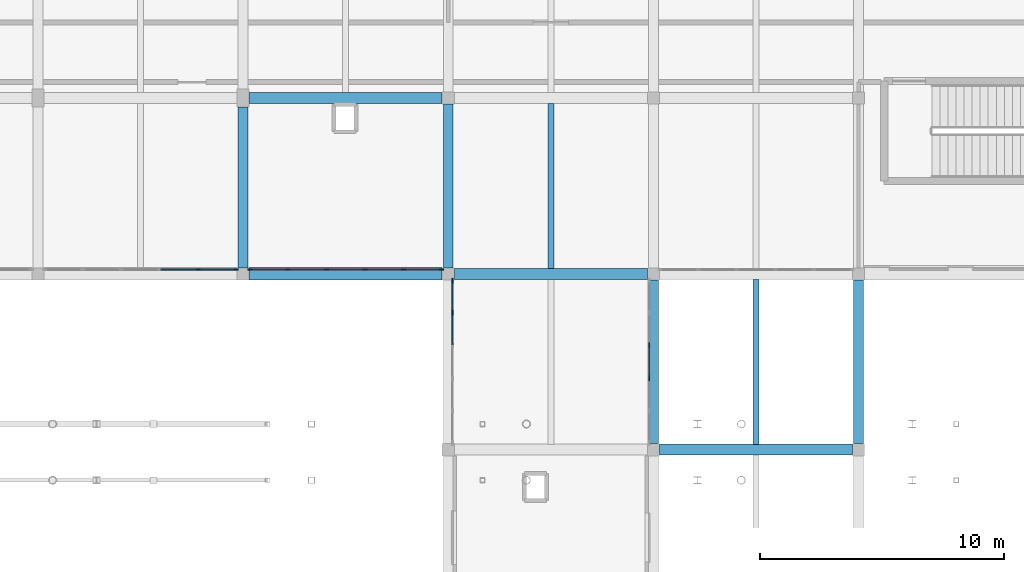
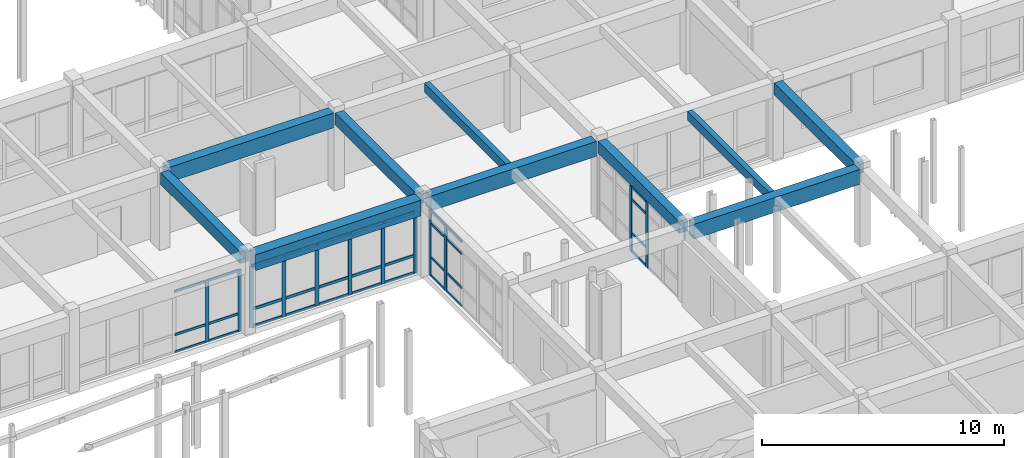
# One storey, part 47 of 147: 45 members, 10 beams, 4 elements without a shape of their own.
"""IFC4 building model written with IfcOpenShell, lengths in metres."""

from ifc_helpers import new_model, si_unit, direction, frame, origin, origin_2d, place, context, subcontext, project, spatial, rectangle, extrude, material, material_profile, profile_set, type_object, element, aggregate, save


model = new_model("IFC4")

# Units and contexts
model_context = context("Model", 3, precision=1e-05, world=origin(), true_north=direction((0.0, 1.0)))
body_context = subcontext(model_context, "Body", "Model", "MODEL_VIEW")
ifc_project = project(units=[si_unit("LENGTHUNIT", "METRE"), si_unit("AREAUNIT", "SQUARE_METRE"), si_unit("VOLUMEUNIT", "CUBIC_METRE"), si_unit("PLANEANGLEUNIT", "RADIAN"), si_unit("MASSUNIT", "GRAM", prefix="KILO")], contexts=[model_context])

# Site, building, storey
site_placement = place(None, origin())
site = spatial("IfcSite", under=ifc_project, at=site_placement, CompositionType="ELEMENT")
building_placement = place(site_placement, origin())
building = spatial("IfcBuilding", under=site, at=building_placement, Name="Malvenik Polytechnic", CompositionType="ELEMENT")
storey_placement = place(building_placement, frame((0.0, 0.0, 5.10009765625)))
storey = spatial("IfcBuildingStorey", under=building, at=storey_placement, Name="L01", CompositionType="ELEMENT", Elevation=5.10009765625)

# Curtain wall, members
ifc_material_1 = material(Name="Anodised aluminium 6060-T6", Category="aluminium")
curtain_wall_type_1 = type_object("IfcCurtainWallType", Name="ARC-CW-CW-02", PredefinedType="NOTDEFINED", material=ifc_material_1)
curtain_wall_1_placement = place(storey_placement, origin())
curtain_wall_1 = element("IfcCurtainWall", 1, at=curtain_wall_1_placement, inside=storey, type_object=curtain_wall_type_1, Name="Unitised Curtain Wall CW-02 L01 #119", PredefinedType="NOTDEFINED")
ifc_material_2 = material(Name="Anodised aluminium", Category="aluminium")
ifc_material_profile_1 = material_profile(ifc_material_2, rectangle(XDim=0.06005859375, YDim=0.159912109375, at=origin_2d()), Name="ALU MULLION 60x160")
ifc_profile_set_1 = profile_set([ifc_material_profile_1], Name="Anodised aluminium")
member_type_1 = type_object("IfcMemberType", Name="ARC-CWM-160", PredefinedType="MULLION", material=ifc_profile_set_1)
member_1_placement = place(storey_placement, frame((66.922119140625, 50.570068359375, 0.0), z_axis=(0.0, 0.0, 1.0), x_axis=(0.0, -1.0, 0.0)))
member_1 = element("IfcMember", 2, at=member_1_placement, type_object=member_type_1, Name="CW-02 mullion 1", PredefinedType="MULLION", context=body_context, shape_type="SweptSolid", body=[
    extrude(rectangle(XDim=0.06005859375, YDim=0.159912109375, at=origin_2d()), origin(), (0.0, 0.0, 1.0), 3.10986328125),
])
member_2_placement = place(storey_placement, frame((65.37109375, 50.570068359375, 0.0), z_axis=(0.0, 0.0, 1.0), x_axis=(0.0, -1.0, 0.0)))
member_2 = element("IfcMember", 3, at=member_2_placement, type_object=member_type_1, Name="CW-02 mullion 2", PredefinedType="MULLION", context=body_context, shape_type="SweptSolid", body=[
    extrude(rectangle(XDim=0.06005859375, YDim=0.159912109375, at=origin_2d()), origin(), (0.0, 0.0, 1.0), 3.10986328125),
])

curtain_wall_2_placement = place(storey_placement, origin())
curtain_wall_2 = element("IfcCurtainWall", 4, at=curtain_wall_2_placement, inside=storey, type_object=curtain_wall_type_1, Name="Unitised Curtain Wall CW-02 L01 #118", PredefinedType="NOTDEFINED")
ifc_material_profile_2 = material_profile(ifc_material_2, rectangle(XDim=0.06005859375, YDim=0.179931640625, at=origin_2d()), Name="ALU MULLION 60x180")
ifc_profile_set_2 = profile_set([ifc_material_profile_2], Name="Anodised aluminium")
member_type_2 = type_object("IfcMemberType", Name="ARC-CWM-180", PredefinedType="MULLION", material=ifc_profile_set_2)
member_3_placement = place(storey_placement, frame((75.322021484375, 50.570068359375, 0.0), z_axis=(0.0, 0.0, 1.0), x_axis=(0.0, -1.0, 0.0)))
member_3 = element("IfcMember", 5, at=member_3_placement, type_object=member_type_2, Name="CW-02 mullion 1", PredefinedType="MULLION", context=body_context, shape_type="SweptSolid", body=[
    extrude(rectangle(XDim=0.06005859375, YDim=0.179931640625, at=origin_2d()), origin(), (0.0, 0.0, 1.0), 3.10986328125),
])
member_4_placement = place(storey_placement, frame((73.771240234375, 50.570068359375, 0.0), z_axis=(0.0, 0.0, 1.0), x_axis=(0.0, -1.0, 0.0)))
member_4 = element("IfcMember", 6, at=member_4_placement, type_object=member_type_2, Name="CW-02 mullion 2", PredefinedType="MULLION", context=body_context, shape_type="SweptSolid", body=[
    extrude(rectangle(XDim=0.06005859375, YDim=0.179931640625, at=origin_2d()), origin(), (0.0, 0.0, 1.0), 3.10986328125),
])
member_5_placement = place(storey_placement, frame((72.1904296875, 50.570068359375, 0.0), z_axis=(0.0, 0.0, 1.0), x_axis=(0.0, -1.0, 0.0)))
member_5 = element("IfcMember", 7, at=member_5_placement, type_object=member_type_2, Name="CW-02 mullion 3", PredefinedType="MULLION", context=body_context, shape_type="SweptSolid", body=[
    extrude(rectangle(XDim=0.06005859375, YDim=0.179931640625, at=origin_2d()), origin(), (0.0, 0.0, 1.0), 3.10986328125),
])
member_6_placement = place(storey_placement, frame((70.609619140625, 50.570068359375, 0.0), z_axis=(0.0, 0.0, 1.0), x_axis=(0.0, -1.0, 0.0)))
member_6 = element("IfcMember", 8, at=member_6_placement, type_object=member_type_2, Name="CW-02 mullion 4", PredefinedType="MULLION", context=body_context, shape_type="SweptSolid", body=[
    extrude(rectangle(XDim=0.06005859375, YDim=0.179931640625, at=origin_2d()), origin(), (0.0, 0.0, 1.0), 3.10986328125),
])
member_7_placement = place(storey_placement, frame((69.02880859375, 50.570068359375, 0.0), z_axis=(0.0, 0.0, 1.0), x_axis=(0.0, -1.0, 0.0)))
member_7 = element("IfcMember", 9, at=member_7_placement, type_object=member_type_2, Name="CW-02 mullion 5", PredefinedType="MULLION", context=body_context, shape_type="SweptSolid", body=[
    extrude(rectangle(XDim=0.06005859375, YDim=0.179931640625, at=origin_2d()), origin(), (0.0, 0.0, 1.0), 3.10986328125),
])
member_8_placement = place(storey_placement, frame((67.47802734375, 50.570068359375, 0.0), z_axis=(0.0, 0.0, 1.0), x_axis=(0.0, -1.0, 0.0)))
member_8 = element("IfcMember", 10, at=member_8_placement, type_object=member_type_2, Name="CW-02 mullion 6", PredefinedType="MULLION", context=body_context, shape_type="SweptSolid", body=[
    extrude(rectangle(XDim=0.06005859375, YDim=0.179931640625, at=origin_2d()), origin(), (0.0, 0.0, 1.0), 3.10986328125),
])

curtain_wall_type_2 = type_object("IfcCurtainWallType", Name="ARC-CW-CW-05", PredefinedType="NOTDEFINED", material=ifc_material_1)
curtain_wall_3_placement = place(storey_placement, origin())
curtain_wall_3 = element("IfcCurtainWall", 11, at=curtain_wall_3_placement, inside=storey, type_object=curtain_wall_type_2, Name="Unitised Curtain Wall CW-05 L01 #93", PredefinedType="NOTDEFINED")
ifc_material_profile_3 = material_profile(ifc_material_2, rectangle(XDim=0.06005859375, YDim=0.199951171875, at=origin_2d()), Name="ALU MULLION 60x200")
ifc_profile_set_3 = profile_set([ifc_material_profile_3], Name="Anodised aluminium")
member_type_3 = type_object("IfcMemberType", Name="ARC-CWM-200", PredefinedType="MULLION", material=ifc_profile_set_3)
member_9_placement = place(storey_placement, frame((83.830078125, 47.470458984375, 0.0), z_axis=(0.0, 0.0, 1.0), x_axis=(1.0, 0.0, 0.0)))
member_9 = element("IfcMember", 12, at=member_9_placement, type_object=member_type_3, Name="CW-05 mullion 3", PredefinedType="MULLION", context=body_context, shape_type="SweptSolid", body=[
    extrude(rectangle(XDim=0.06005859375, YDim=0.199951171875, at=origin_2d()), origin(), (0.0, 0.0, 1.0), 3.309814453125),
])
member_10_placement = place(storey_placement, frame((83.830078125, 46.129638671875, 0.0), z_axis=(0.0, 0.0, 1.0), x_axis=(1.0, 0.0, 0.0)))
member_10 = element("IfcMember", 13, at=member_10_placement, type_object=member_type_3, Name="CW-05 mullion 4", PredefinedType="MULLION", context=body_context, shape_type="SweptSolid", body=[
    extrude(rectangle(XDim=0.06005859375, YDim=0.199951171875, at=origin_2d()), origin(), (0.0, 0.0, 1.0), 3.309814453125),
])

curtain_wall_4_placement = place(storey_placement, origin())
curtain_wall_4 = element("IfcCurtainWall", 14, at=curtain_wall_4_placement, inside=storey, type_object=curtain_wall_type_2, Name="Unitised Curtain Wall CW-05 L01 #117", PredefinedType="NOTDEFINED")
member_11_placement = place(storey_placement, frame((75.77001953125, 48.811279296875, 0.0), z_axis=(0.0, 0.0, 1.0), x_axis=(-1.0, 0.0, 0.0)))
member_11 = element("IfcMember", 15, at=member_11_placement, type_object=member_type_3, Name="CW-05 mullion 5", PredefinedType="MULLION", context=body_context, shape_type="SweptSolid", body=[
    extrude(rectangle(XDim=0.06005859375, YDim=0.199951171875, at=origin_2d()), origin(), (0.0, 0.0, 1.0), 3.309814453125),
])
member_12_placement = place(storey_placement, frame((75.77001953125, 50.1220703125, 0.0), z_axis=(0.0, 0.0, 1.0), x_axis=(-1.0, 0.0, 0.0)))
member_12 = element("IfcMember", 16, at=member_12_placement, type_object=member_type_3, Name="CW-05 mullion 6", PredefinedType="MULLION", context=body_context, shape_type="SweptSolid", body=[
    extrude(rectangle(XDim=0.06005859375, YDim=0.199951171875, at=origin_2d()), origin(), (0.0, 0.0, 1.0), 3.309814453125),
])

# Member
ifc_material_profile_4 = material_profile(ifc_material_2, rectangle(XDim=0.06005859375, YDim=0.1201171875, at=origin_2d()), Name="ALU TRANSOM 60x120")
ifc_profile_set_4 = profile_set([ifc_material_profile_4], Name="Anodised aluminium")
member_type_4 = type_object("IfcMemberType", Name="ARC-CWT-120", PredefinedType="USERDEFINED", material=ifc_profile_set_4)
member_13_placement = place(storey_placement, frame((83.830078125, 47.4404296875, 0.02978515625), z_axis=(0.0, -1.0, 0.0), x_axis=(1.0, 0.0, 0.0)))
member_13 = element("IfcMember", 17, at=member_13_placement, type_object=member_type_4, Name="CW-05 transom 3.1", ObjectType="TRANSOM", PredefinedType="USERDEFINED", context=body_context, shape_type="SweptSolid", body=[
    extrude(rectangle(XDim=0.06005859375, YDim=0.1201171875, at=origin_2d()), origin(), (0.0, 0.0, 1.0), 1.28076171875),
])

member_14_placement = place(storey_placement, frame((83.830078125, 47.4404296875, 0.949951171875), z_axis=(0.0, -1.0, 0.0), x_axis=(1.0, 0.0, 0.0)))
member_14 = element("IfcMember", 18, at=member_14_placement, type_object=member_type_4, Name="CW-05 transom 3.2", ObjectType="TRANSOM", PredefinedType="USERDEFINED", context=body_context, shape_type="SweptSolid", body=[
    extrude(rectangle(XDim=0.06005859375, YDim=0.1201171875, at=origin_2d()), origin(), (0.0, 0.0, 1.0), 1.28076171875),
])

member_15_placement = place(storey_placement, frame((83.830078125, 47.4404296875, 2.659912109375), z_axis=(0.0, -1.0, 0.0), x_axis=(1.0, 0.0, 0.0)))
member_15 = element("IfcMember", 19, at=member_15_placement, type_object=member_type_4, Name="CW-05 transom 3.3", ObjectType="TRANSOM", PredefinedType="USERDEFINED", context=body_context, shape_type="SweptSolid", body=[
    extrude(rectangle(XDim=0.06005859375, YDim=0.1201171875, at=origin_2d()), origin(), (0.0, 0.0, 1.0), 1.28076171875),
])

member_16_placement = place(storey_placement, frame((83.830078125, 47.4404296875, 3.27978515625), z_axis=(0.0, -1.0, 0.0), x_axis=(1.0, 0.0, 0.0)))
member_16 = element("IfcMember", 20, at=member_16_placement, type_object=member_type_4, Name="CW-05 transom 3.4", ObjectType="TRANSOM", PredefinedType="USERDEFINED", context=body_context, shape_type="SweptSolid", body=[
    extrude(rectangle(XDim=0.06005859375, YDim=0.1201171875, at=origin_2d()), origin(), (0.0, 0.0, 1.0), 1.28076171875),
])

aggregate(curtain_wall_3, [member_9, member_10, member_13, member_14, member_15, member_16])

member_17_placement = place(storey_placement, frame((75.77001953125, 47.50048828125, 0.02978515625), z_axis=(0.0, 1.0, 0.0), x_axis=(-1.0, 0.0, 0.0)))
member_17 = element("IfcMember", 21, at=member_17_placement, type_object=member_type_4, Name="CW-05 transom 4.1", ObjectType="TRANSOM", PredefinedType="USERDEFINED", context=body_context, shape_type="SweptSolid", body=[
    extrude(rectangle(XDim=0.06005859375, YDim=0.1201171875, at=origin_2d()), origin(), (0.0, 0.0, 1.0), 1.28076171875),
])

member_18_placement = place(storey_placement, frame((75.77001953125, 47.50048828125, 0.949951171875), z_axis=(0.0, 1.0, 0.0), x_axis=(-1.0, 0.0, 0.0)))
member_18 = element("IfcMember", 22, at=member_18_placement, type_object=member_type_4, Name="CW-05 transom 4.2", ObjectType="TRANSOM", PredefinedType="USERDEFINED", context=body_context, shape_type="SweptSolid", body=[
    extrude(rectangle(XDim=0.06005859375, YDim=0.1201171875, at=origin_2d()), origin(), (0.0, 0.0, 1.0), 1.28076171875),
])

member_19_placement = place(storey_placement, frame((75.77001953125, 47.50048828125, 2.659912109375), z_axis=(0.0, 1.0, 0.0), x_axis=(-1.0, 0.0, 0.0)))
member_19 = element("IfcMember", 23, at=member_19_placement, type_object=member_type_4, Name="CW-05 transom 4.3", ObjectType="TRANSOM", PredefinedType="USERDEFINED", context=body_context, shape_type="SweptSolid", body=[
    extrude(rectangle(XDim=0.06005859375, YDim=0.1201171875, at=origin_2d()), origin(), (0.0, 0.0, 1.0), 1.28076171875),
])

member_20_placement = place(storey_placement, frame((75.77001953125, 47.50048828125, 3.27978515625), z_axis=(0.0, 1.0, 0.0), x_axis=(-1.0, 0.0, 0.0)))
member_20 = element("IfcMember", 24, at=member_20_placement, type_object=member_type_4, Name="CW-05 transom 4.4", ObjectType="TRANSOM", PredefinedType="USERDEFINED", context=body_context, shape_type="SweptSolid", body=[
    extrude(rectangle(XDim=0.06005859375, YDim=0.1201171875, at=origin_2d()), origin(), (0.0, 0.0, 1.0), 1.28076171875),
])

member_21_placement = place(storey_placement, frame((75.77001953125, 48.84130859375, 0.02978515625), z_axis=(0.0, 1.0, 0.0), x_axis=(-1.0, 0.0, 0.0)))
member_21 = element("IfcMember", 25, at=member_21_placement, type_object=member_type_4, Name="CW-05 transom 5.1", ObjectType="TRANSOM", PredefinedType="USERDEFINED", context=body_context, shape_type="SweptSolid", body=[
    extrude(rectangle(XDim=0.06005859375, YDim=0.1201171875, at=origin_2d()), origin(), (0.0, 0.0, 1.0), 1.250732421875),
])

member_22_placement = place(storey_placement, frame((75.77001953125, 48.84130859375, 0.949951171875), z_axis=(0.0, 1.0, 0.0), x_axis=(-1.0, 0.0, 0.0)))
member_22 = element("IfcMember", 26, at=member_22_placement, type_object=member_type_4, Name="CW-05 transom 5.2", ObjectType="TRANSOM", PredefinedType="USERDEFINED", context=body_context, shape_type="SweptSolid", body=[
    extrude(rectangle(XDim=0.06005859375, YDim=0.1201171875, at=origin_2d()), origin(), (0.0, 0.0, 1.0), 1.250732421875),
])

member_23_placement = place(storey_placement, frame((75.77001953125, 48.84130859375, 2.659912109375), z_axis=(0.0, 1.0, 0.0), x_axis=(-1.0, 0.0, 0.0)))
member_23 = element("IfcMember", 27, at=member_23_placement, type_object=member_type_4, Name="CW-05 transom 5.3", ObjectType="TRANSOM", PredefinedType="USERDEFINED", context=body_context, shape_type="SweptSolid", body=[
    extrude(rectangle(XDim=0.06005859375, YDim=0.1201171875, at=origin_2d()), origin(), (0.0, 0.0, 1.0), 1.250732421875),
])

member_24_placement = place(storey_placement, frame((75.77001953125, 48.84130859375, 3.27978515625), z_axis=(0.0, 1.0, 0.0), x_axis=(-1.0, 0.0, 0.0)))
member_24 = element("IfcMember", 28, at=member_24_placement, type_object=member_type_4, Name="CW-05 transom 5.4", ObjectType="TRANSOM", PredefinedType="USERDEFINED", context=body_context, shape_type="SweptSolid", body=[
    extrude(rectangle(XDim=0.06005859375, YDim=0.1201171875, at=origin_2d()), origin(), (0.0, 0.0, 1.0), 1.250732421875),
])

aggregate(curtain_wall_4, [member_11, member_12, member_17, member_18, member_19, member_20, member_21, member_22, member_23, member_24])

member_25_placement = place(storey_placement, frame((66.89208984375, 50.570068359375, 0.02978515625), z_axis=(-1.0, 0.0, 0.0), x_axis=(0.0, -1.0, 0.0)))
member_25 = element("IfcMember", 29, at=member_25_placement, type_object=member_type_4, Name="CW-02 transom 1.1", ObjectType="TRANSOM", PredefinedType="USERDEFINED", context=body_context, shape_type="SweptSolid", body=[
    extrude(rectangle(XDim=0.06005859375, YDim=0.1201171875, at=origin_2d()), origin(), (0.0, 0.0, 1.0), 1.490966796875),
])

member_26_placement = place(storey_placement, frame((66.89208984375, 50.570068359375, 0.89990234375), z_axis=(-1.0, 0.0, 0.0), x_axis=(0.0, -1.0, 0.0)))
member_26 = element("IfcMember", 30, at=member_26_placement, type_object=member_type_4, Name="CW-02 transom 1.2", ObjectType="TRANSOM", PredefinedType="USERDEFINED", context=body_context, shape_type="SweptSolid", body=[
    extrude(rectangle(XDim=0.06005859375, YDim=0.1201171875, at=origin_2d()), origin(), (0.0, 0.0, 1.0), 1.490966796875),
])

member_27_placement = place(storey_placement, frame((66.89208984375, 50.570068359375, 3.079833984375), z_axis=(-1.0, 0.0, 0.0), x_axis=(0.0, -1.0, 0.0)))
member_27 = element("IfcMember", 31, at=member_27_placement, type_object=member_type_4, Name="CW-02 transom 1.3", ObjectType="TRANSOM", PredefinedType="USERDEFINED", context=body_context, shape_type="SweptSolid", body=[
    extrude(rectangle(XDim=0.06005859375, YDim=0.1201171875, at=origin_2d()), origin(), (0.0, 0.0, 1.0), 1.490966796875),
])

member_28_placement = place(storey_placement, frame((65.34130859375, 50.570068359375, 0.02978515625), z_axis=(-1.0, 0.0, 0.0), x_axis=(0.0, -1.0, 0.0)))
member_28 = element("IfcMember", 32, at=member_28_placement, type_object=member_type_4, Name="CW-02 transom 2.1", ObjectType="TRANSOM", PredefinedType="USERDEFINED", context=body_context, shape_type="SweptSolid", body=[
    extrude(rectangle(XDim=0.06005859375, YDim=0.1201171875, at=origin_2d()), origin(), (0.0, 0.0, 1.0), 1.52099609375),
])

member_29_placement = place(storey_placement, frame((65.34130859375, 50.570068359375, 0.89990234375), z_axis=(-1.0, 0.0, 0.0), x_axis=(0.0, -1.0, 0.0)))
member_29 = element("IfcMember", 33, at=member_29_placement, type_object=member_type_4, Name="CW-02 transom 2.2", ObjectType="TRANSOM", PredefinedType="USERDEFINED", context=body_context, shape_type="SweptSolid", body=[
    extrude(rectangle(XDim=0.06005859375, YDim=0.1201171875, at=origin_2d()), origin(), (0.0, 0.0, 1.0), 1.52099609375),
])

member_30_placement = place(storey_placement, frame((65.34130859375, 50.570068359375, 3.079833984375), z_axis=(-1.0, 0.0, 0.0), x_axis=(0.0, -1.0, 0.0)))
member_30 = element("IfcMember", 34, at=member_30_placement, type_object=member_type_4, Name="CW-02 transom 2.3", ObjectType="TRANSOM", PredefinedType="USERDEFINED", context=body_context, shape_type="SweptSolid", body=[
    extrude(rectangle(XDim=0.06005859375, YDim=0.1201171875, at=origin_2d()), origin(), (0.0, 0.0, 1.0), 1.52099609375),
])

aggregate(curtain_wall_1, [member_1, member_2, member_25, member_26, member_27, member_28, member_29, member_30])

ifc_material_profile_5 = material_profile(ifc_material_2, rectangle(XDim=0.06005859375, YDim=0.139892578125, at=origin_2d()), Name="ALU TRANSOM 60x140")
ifc_profile_set_5 = profile_set([ifc_material_profile_5], Name="Anodised aluminium")
member_type_5 = type_object("IfcMemberType", Name="ARC-CWT-140", PredefinedType="USERDEFINED", material=ifc_profile_set_5)
member_31_placement = place(storey_placement, frame((75.2919921875, 50.570068359375, 0.02978515625), z_axis=(-1.0, 0.0, 0.0), x_axis=(0.0, -1.0, 0.0)))
member_31 = element("IfcMember", 35, at=member_31_placement, type_object=member_type_5, Name="CW-02 transom 1.1", ObjectType="TRANSOM", PredefinedType="USERDEFINED", context=body_context, shape_type="SweptSolid", body=[
    extrude(rectangle(XDim=0.06005859375, YDim=0.139892578125, at=origin_2d()), origin(), (0.0, 0.0, 1.0), 1.49072265625),
])

member_32_placement = place(storey_placement, frame((75.2919921875, 50.570068359375, 0.89990234375), z_axis=(-1.0, 0.0, 0.0), x_axis=(0.0, -1.0, 0.0)))
member_32 = element("IfcMember", 36, at=member_32_placement, type_object=member_type_5, Name="CW-02 transom 1.2", ObjectType="TRANSOM", PredefinedType="USERDEFINED", context=body_context, shape_type="SweptSolid", body=[
    extrude(rectangle(XDim=0.06005859375, YDim=0.139892578125, at=origin_2d()), origin(), (0.0, 0.0, 1.0), 1.49072265625),
])

member_33_placement = place(storey_placement, frame((75.2919921875, 50.570068359375, 3.079833984375), z_axis=(-1.0, 0.0, 0.0), x_axis=(0.0, -1.0, 0.0)))
member_33 = element("IfcMember", 37, at=member_33_placement, type_object=member_type_5, Name="CW-02 transom 1.3", ObjectType="TRANSOM", PredefinedType="USERDEFINED", context=body_context, shape_type="SweptSolid", body=[
    extrude(rectangle(XDim=0.06005859375, YDim=0.139892578125, at=origin_2d()), origin(), (0.0, 0.0, 1.0), 1.49072265625),
])

member_34_placement = place(storey_placement, frame((73.7412109375, 50.570068359375, 0.02978515625), z_axis=(-1.0, 0.0, 0.0), x_axis=(0.0, -1.0, 0.0)))
member_34 = element("IfcMember", 38, at=member_34_placement, type_object=member_type_5, Name="CW-02 transom 2.1", ObjectType="TRANSOM", PredefinedType="USERDEFINED", context=body_context, shape_type="SweptSolid", body=[
    extrude(rectangle(XDim=0.06005859375, YDim=0.139892578125, at=origin_2d()), origin(), (0.0, 0.0, 1.0), 1.520751953125),
])

member_35_placement = place(storey_placement, frame((73.7412109375, 50.570068359375, 0.89990234375), z_axis=(-1.0, 0.0, 0.0), x_axis=(0.0, -1.0, 0.0)))
member_35 = element("IfcMember", 39, at=member_35_placement, type_object=member_type_5, Name="CW-02 transom 2.2", ObjectType="TRANSOM", PredefinedType="USERDEFINED", context=body_context, shape_type="SweptSolid", body=[
    extrude(rectangle(XDim=0.06005859375, YDim=0.139892578125, at=origin_2d()), origin(), (0.0, 0.0, 1.0), 1.520751953125),
])

member_36_placement = place(storey_placement, frame((73.7412109375, 50.570068359375, 3.079833984375), z_axis=(-1.0, 0.0, 0.0), x_axis=(0.0, -1.0, 0.0)))
member_36 = element("IfcMember", 40, at=member_36_placement, type_object=member_type_5, Name="CW-02 transom 2.3", ObjectType="TRANSOM", PredefinedType="USERDEFINED", context=body_context, shape_type="SweptSolid", body=[
    extrude(rectangle(XDim=0.06005859375, YDim=0.139892578125, at=origin_2d()), origin(), (0.0, 0.0, 1.0), 1.520751953125),
])

member_37_placement = place(storey_placement, frame((72.160400390625, 50.570068359375, 0.02978515625), z_axis=(-1.0, 0.0, 0.0), x_axis=(0.0, -1.0, 0.0)))
member_37 = element("IfcMember", 41, at=member_37_placement, type_object=member_type_5, Name="CW-02 transom 3.1", ObjectType="TRANSOM", PredefinedType="USERDEFINED", context=body_context, shape_type="SweptSolid", body=[
    extrude(rectangle(XDim=0.06005859375, YDim=0.139892578125, at=origin_2d()), origin(), (0.0, 0.0, 1.0), 1.520751953125),
])

member_38_placement = place(storey_placement, frame((72.160400390625, 50.570068359375, 0.89990234375), z_axis=(-1.0, 0.0, 0.0), x_axis=(0.0, -1.0, 0.0)))
member_38 = element("IfcMember", 42, at=member_38_placement, type_object=member_type_5, Name="CW-02 transom 3.2", ObjectType="TRANSOM", PredefinedType="USERDEFINED", context=body_context, shape_type="SweptSolid", body=[
    extrude(rectangle(XDim=0.06005859375, YDim=0.139892578125, at=origin_2d()), origin(), (0.0, 0.0, 1.0), 1.520751953125),
])

member_39_placement = place(storey_placement, frame((72.160400390625, 50.570068359375, 3.079833984375), z_axis=(-1.0, 0.0, 0.0), x_axis=(0.0, -1.0, 0.0)))
member_39 = element("IfcMember", 43, at=member_39_placement, type_object=member_type_5, Name="CW-02 transom 3.3", ObjectType="TRANSOM", PredefinedType="USERDEFINED", context=body_context, shape_type="SweptSolid", body=[
    extrude(rectangle(XDim=0.06005859375, YDim=0.139892578125, at=origin_2d()), origin(), (0.0, 0.0, 1.0), 1.520751953125),
])

member_40_placement = place(storey_placement, frame((70.57958984375, 50.570068359375, 0.02978515625), z_axis=(-1.0, 0.0, 0.0), x_axis=(0.0, -1.0, 0.0)))
member_40 = element("IfcMember", 44, at=member_40_placement, type_object=member_type_5, Name="CW-02 transom 4.1", ObjectType="TRANSOM", PredefinedType="USERDEFINED", context=body_context, shape_type="SweptSolid", body=[
    extrude(rectangle(XDim=0.06005859375, YDim=0.139892578125, at=origin_2d()), origin(), (0.0, 0.0, 1.0), 1.520751953125),
])

member_41_placement = place(storey_placement, frame((70.57958984375, 50.570068359375, 0.89990234375), z_axis=(-1.0, 0.0, 0.0), x_axis=(0.0, -1.0, 0.0)))
member_41 = element("IfcMember", 45, at=member_41_placement, type_object=member_type_5, Name="CW-02 transom 4.2", ObjectType="TRANSOM", PredefinedType="USERDEFINED", context=body_context, shape_type="SweptSolid", body=[
    extrude(rectangle(XDim=0.06005859375, YDim=0.139892578125, at=origin_2d()), origin(), (0.0, 0.0, 1.0), 1.520751953125),
])

member_42_placement = place(storey_placement, frame((70.57958984375, 50.570068359375, 3.079833984375), z_axis=(-1.0, 0.0, 0.0), x_axis=(0.0, -1.0, 0.0)))
member_42 = element("IfcMember", 46, at=member_42_placement, type_object=member_type_5, Name="CW-02 transom 4.3", ObjectType="TRANSOM", PredefinedType="USERDEFINED", context=body_context, shape_type="SweptSolid", body=[
    extrude(rectangle(XDim=0.06005859375, YDim=0.139892578125, at=origin_2d()), origin(), (0.0, 0.0, 1.0), 1.520751953125),
])

member_43_placement = place(storey_placement, frame((68.998779296875, 50.570068359375, 0.02978515625), z_axis=(-1.0, 0.0, 0.0), x_axis=(0.0, -1.0, 0.0)))
member_43 = element("IfcMember", 47, at=member_43_placement, type_object=member_type_5, Name="CW-02 transom 5.1", ObjectType="TRANSOM", PredefinedType="USERDEFINED", context=body_context, shape_type="SweptSolid", body=[
    extrude(rectangle(XDim=0.06005859375, YDim=0.139892578125, at=origin_2d()), origin(), (0.0, 0.0, 1.0), 1.49072265625),
])

member_44_placement = place(storey_placement, frame((68.998779296875, 50.570068359375, 0.89990234375), z_axis=(-1.0, 0.0, 0.0), x_axis=(0.0, -1.0, 0.0)))
member_44 = element("IfcMember", 48, at=member_44_placement, type_object=member_type_5, Name="CW-02 transom 5.2", ObjectType="TRANSOM", PredefinedType="USERDEFINED", context=body_context, shape_type="SweptSolid", body=[
    extrude(rectangle(XDim=0.06005859375, YDim=0.139892578125, at=origin_2d()), origin(), (0.0, 0.0, 1.0), 1.49072265625),
])

member_45_placement = place(storey_placement, frame((68.998779296875, 50.570068359375, 3.079833984375), z_axis=(-1.0, 0.0, 0.0), x_axis=(0.0, -1.0, 0.0)))
member_45 = element("IfcMember", 49, at=member_45_placement, type_object=member_type_5, Name="CW-02 transom 5.3", ObjectType="TRANSOM", PredefinedType="USERDEFINED", context=body_context, shape_type="SweptSolid", body=[
    extrude(rectangle(XDim=0.06005859375, YDim=0.139892578125, at=origin_2d()), origin(), (0.0, 0.0, 1.0), 1.49072265625),
])

aggregate(curtain_wall_2, [member_3, member_4, member_5, member_6, member_7, member_8, member_31, member_32, member_33, member_34, member_35, member_36, member_37, member_38, member_39, member_40, member_41, member_42, member_43, member_44, member_45])

# Beams
ifc_material_3 = material(Name="Concrete C35/45", Category="concrete")
ifc_material_profile_6 = material_profile(ifc_material_3, rectangle(XDim=0.449951171875, YDim=0.75, at=origin_2d()), Name="RC BM 450x750")
ifc_profile_set_6 = profile_set([ifc_material_profile_6], Name="Concrete C35/45")
beam_type_1 = type_object("IfcBeamType", Name="STR-BM-B-03", PredefinedType="BEAM", material=ifc_profile_set_6)
for number, where, z_axis, x_axis, name in (
    (50, (84.248046875, 43.199951171875, 3.544921875), (1.0, 0.0, 0.0), (0.0, 1.0, 0.0), "Primary Beam B-03 L01 #999"),
    (51, (75.847900390625, 50.39990234375, 3.544921875), (1.0, 0.0, 0.0), (0.0, 1.0, 0.0), "Primary Beam B-03 L01 #1008"),
    (52, (67.447998046875, 57.60009765625, 3.544921875), (1.0, 0.0, 0.0), (0.0, 1.0, 0.0), "Primary Beam B-03 L01 #1020"),
):
    element("IfcBeam", number, at=place(storey_placement, frame(where, z_axis=z_axis, x_axis=x_axis)), inside=storey, type_object=beam_type_1, Name=name, PredefinedType="BEAM", context=body_context, shape_type="SweptSolid", body=[
        extrude(rectangle(XDim=0.449951171875, YDim=0.75, at=origin_2d()), origin(), (0.0, 0.0, 1.0), 7.904052734375),
    ])
ifc_material_profile_7 = material_profile(ifc_material_3, rectangle(XDim=0.39990234375, YDim=0.60009765625, at=origin_2d()), Name="RC BM 400x600")
ifc_profile_set_7 = profile_set([ifc_material_profile_7], Name="Concrete C35/45")
beam_type_2 = type_object("IfcBeamType", Name="STR-BM-B-06", PredefinedType="BEAM", material=ifc_profile_set_7)
beam_1_placement = place(storey_placement, frame((67.199951171875, 50.64794921875, 3.619873046875), z_axis=(0.0, 1.0, 0.0), x_axis=(-1.0, 0.0, 0.0)))
element("IfcBeam", 53, at=beam_1_placement, inside=storey, type_object=beam_type_2, Name="Transverse Beam B-06 L01 #1173", PredefinedType="BEAM", context=body_context, shape_type="SweptSolid", body=[
    extrude(rectangle(XDim=0.39990234375, YDim=0.60009765625, at=origin_2d()), origin(), (0.0, 0.0, 1.0), 6.5791015625),
])
for number, where, z_axis, x_axis, name in (
    (54, (75.60009765625, 50.64794921875, 3.619873046875), (0.0, 1.0, 0.0), (-1.0, 0.0, 0.0), "Transverse Beam B-06 L01 #1183"),
    (55, (84.0, 43.447998046875, 3.619873046875), (0.0, 1.0, 0.0), (-1.0, 0.0, 0.0), "Transverse Beam B-06 L01 #1190"),
    (56, (92.39990234375, 43.447998046875, 3.619873046875), (0.0, 1.0, 0.0), (-1.0, 0.0, 0.0), "Transverse Beam B-06 L01 #1200"),
):
    element("IfcBeam", number, at=place(storey_placement, frame(where, z_axis=z_axis, x_axis=x_axis)), inside=storey, type_object=beam_type_2, Name=name, PredefinedType="BEAM", context=body_context, shape_type="SweptSolid", body=[
        extrude(rectangle(XDim=0.39990234375, YDim=0.60009765625, at=origin_2d()), origin(), (0.0, 0.0, 1.0), 6.7041015625),
    ])
ifc_material_4 = material(Name="Concrete C30/37", Category="concrete")
ifc_material_profile_8 = material_profile(ifc_material_4, rectangle(XDim=0.25, YDim=0.449951171875, at=origin_2d()), Name="RC JST 250x450")
ifc_profile_set_8 = profile_set([ifc_material_profile_8], Name="Concrete C30/37")
beam_type_3 = type_object("IfcBeamType", Name="STR-BM-J-02", PredefinedType="JOIST", material=ifc_profile_set_8)
for number, where, z_axis, x_axis, name in (
    (57, (79.800048828125, 50.623046875, 3.69482421875), (0.0, 1.0, 0.0), (-1.0, 0.0, 0.0), "Secondary Rib Joist J-02 L01 #1288"),
    (58, (88.199951171875, 43.423095703125, 3.69482421875), (0.0, 1.0, 0.0), (-1.0, 0.0, 0.0), "Secondary Rib Joist J-02 L01 #1295"),
):
    element("IfcBeam", number, at=place(storey_placement, frame(where, z_axis=z_axis, x_axis=x_axis)), inside=storey, type_object=beam_type_3, Name=name, PredefinedType="JOIST", context=body_context, shape_type="SweptSolid", body=[
        extrude(rectangle(XDim=0.25, YDim=0.449951171875, at=origin_2d()), origin(), (0.0, 0.0, 1.0), 6.75390625),
    ])
ifc_material_5 = material(Name="Precast concrete C40/50", Category="concrete")
ifc_material_profile_9 = material_profile(ifc_material_5, rectangle(XDim=0.52001953125, YDim=0.800048828125, at=origin_2d()), Name="PC SPN 520x800")
ifc_profile_set_9 = profile_set([ifc_material_profile_9], Name="Precast concrete C40/50")
beam_type_4 = type_object("IfcBeamType", Name="STR-BM-SP-01", PredefinedType="SPANDREL", material=ifc_profile_set_9)
beam_2_placement = place(storey_placement, frame((67.447998046875, 50.39990234375, 3.52001953125), z_axis=(1.0, 0.0, 0.0), x_axis=(0.0, 1.0, 0.0)))
element("IfcBeam", 59, at=beam_2_placement, inside=storey, type_object=beam_type_4, Name="Primary Beam SP-01 L01 #1007", PredefinedType="SPANDREL", context=body_context, shape_type="SweptSolid", body=[
    extrude(rectangle(XDim=0.52001953125, YDim=0.800048828125, at=origin_2d()), origin(), (0.0, 0.0, 1.0), 7.904052734375),
])

save(model, "model.ifc")
